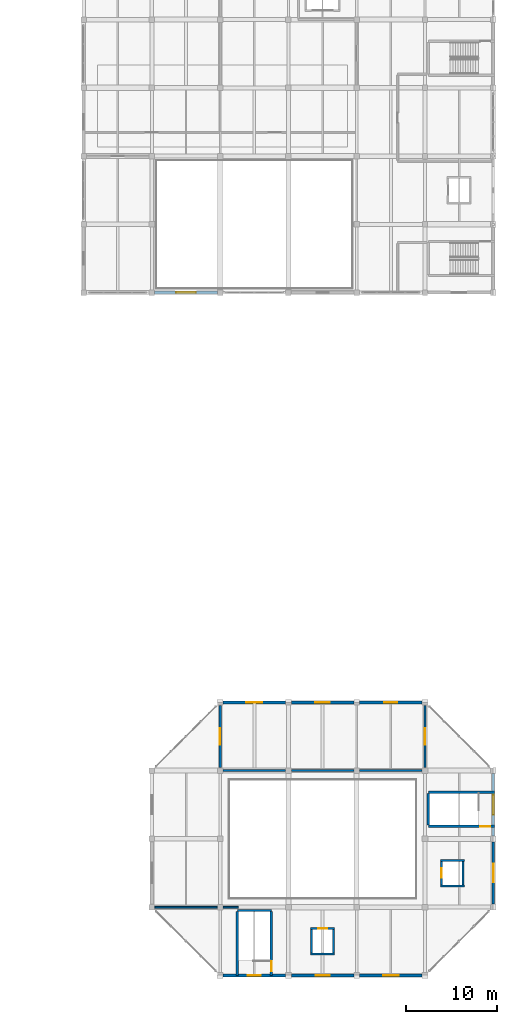
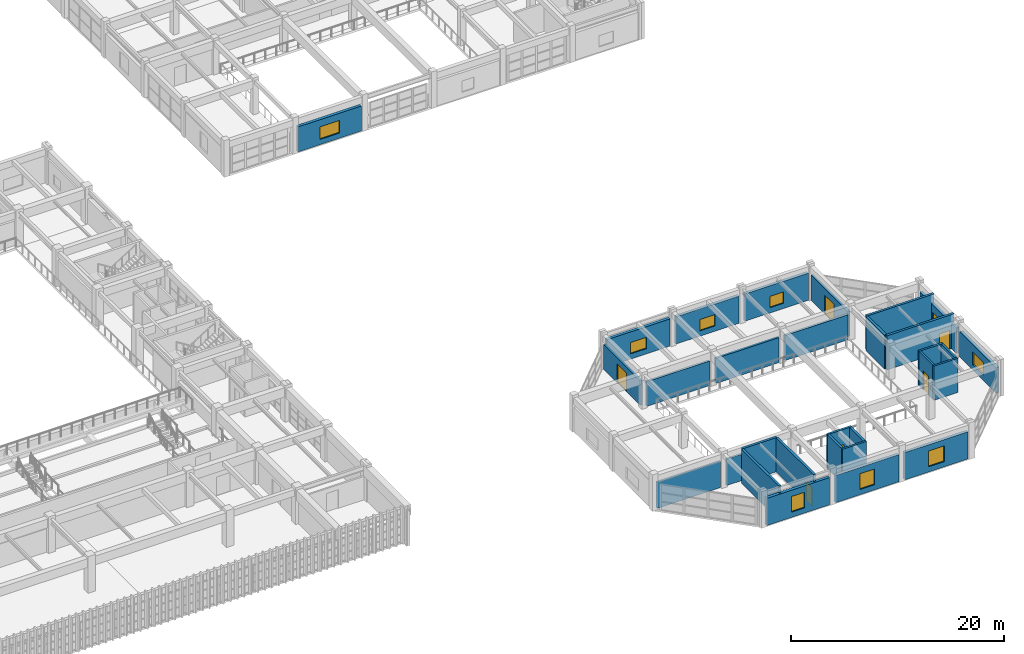
# One storey, part 99 of 124: 30 walls, 9 windows, 6 doors, 15 openings.
"""IFC4 building model written with IfcOpenShell, lengths in metres."""

from ifc_helpers import new_model, si_unit, direction, frame, frame_2d, origin, place, context, subcontext, project, spatial, rectangle, extrude, material, layer, layer_set, type_object, element, fill, save


model = new_model("IFC4")

# Units and contexts
model_context = context("Model", 3, precision=1e-05, world=origin(), true_north=direction((0.0, 1.0)))
body_context = subcontext(model_context, "Body", "Model", "MODEL_VIEW")
ifc_project = project(units=[si_unit("LENGTHUNIT", "METRE"), si_unit("AREAUNIT", "SQUARE_METRE"), si_unit("VOLUMEUNIT", "CUBIC_METRE"), si_unit("PLANEANGLEUNIT", "RADIAN"), si_unit("MASSUNIT", "GRAM", prefix="KILO")], contexts=[model_context])

# Site, building, storey
site_placement = place(None, origin())
site = spatial("IfcSite", under=ifc_project, at=site_placement, CompositionType="ELEMENT")
building_placement = place(site_placement, origin())
building = spatial("IfcBuilding", under=site, at=building_placement, Name="Qasida Concert Hall", CompositionType="ELEMENT")
storey_placement = place(building_placement, frame((0.0, 0.0, 9.0)))
storey = spatial("IfcBuildingStorey", under=building, at=storey_placement, Name="L02", CompositionType="ELEMENT", Elevation=9.0)

# Wall
ifc_material_1 = material(Name="Concrete C40/50", Category="concrete")
ifc_layer_1 = layer(ifc_material_1, 0.219970703125, Name="Concrete C40/50")
ifc_layer_set_1 = layer_set([ifc_layer_1], Name="Concrete C40/50")
wall_type_1 = type_object("IfcWallType", Name="WL-CW-220", PredefinedType="SOLIDWALL", material=ifc_layer_set_1)
wall_1_placement = place(storey_placement, frame((144.93994140625, 2.35009765625, 0.0), z_axis=(0.0, 0.0, 1.0), x_axis=(1.0, 0.0, 0.0)))
element("IfcWall", 1, at=wall_1_placement, inside=storey, type_object=wall_type_1, Name="L02 LF-11 lift shaft wall S", PredefinedType="SOLIDWALL", context=body_context, shape_type="SweptSolid", body=[
    extrude(rectangle(XDim=2.6201171875, YDim=0.219970703125, at=frame_2d((1.31005859375, 0.0))), origin(), (0.0, 0.0, 1.0), 3.919921875),
])

# Wall, opening, door
wall_2_placement = place(storey_placement, frame((144.93994140625, 5.14990234375, 0.0), z_axis=(0.0, 0.0, 1.0), x_axis=(1.0, 0.0, 0.0)))
wall_2 = element("IfcWall", 2, at=wall_2_placement, inside=storey, type_object=wall_type_1, Name="L02 LF-11 lift shaft wall N", PredefinedType="SOLIDWALL", context=body_context, shape_type="SweptSolid", body=[
    extrude(rectangle(XDim=2.6201171875, YDim=0.219970703125, at=frame_2d((1.31005859375, 0.0))), origin(), (0.0, 0.0, 1.0), 3.919921875),
])
opening_1_placement = place(wall_2_placement, frame((0.81005859375, 0.0, 0.0)))
opening_1 = element("IfcOpeningElement", 3, at=opening_1_placement, cuts=wall_2, Name="Opening LD-100", PredefinedType="OPENING", context=body_context, shape_type="SweptSolid", body=[
    extrude(rectangle(XDim=1.0, YDim=2.14990234375, at=frame_2d((0.5, 1.074951171875))), frame((0.0, 0.119873046875, 0.0), z_axis=(0.0, -1.0, 0.0), x_axis=(1.0, 0.0, 0.0)), (0.0, 0.0, 1.0), 0.239990234375),
])
ifc_material_2 = material(Name="Brushed bronze passenger lift landing door", Category="steel")
door_type_1 = type_object("IfcDoorType", Name="LD-100", OperationType="SLIDING_TO_LEFT", PredefinedType="DOOR", material=ifc_material_2)
door_1_placement = place(opening_1_placement, origin())
door_1 = element("IfcDoor", 4, at=door_1_placement, inside=storey, type_object=door_type_1, Name="Lift landing door LF-11 L02", OperationType="SLIDING_TO_LEFT", OverallHeight=2.14990234375, OverallWidth=1.0, PredefinedType="DOOR", context=body_context, shape_type="SweptSolid", body=[
    extrude(rectangle(XDim=1.0, YDim=2.14990234375, at=frame_2d((0.5, 1.074951171875))), frame((0.0, 0.02490234375, 0.0), z_axis=(0.0, -1.0, 0.0), x_axis=(1.0, 0.0, 0.0)), (0.0, 0.0, 1.0), 0.050048828125),
])
fill(opening_1, door_1)

# Walls
for number, where, z_axis, x_axis, name in (
    (5, (145.050048828125, 2.4599609375, 0.0), (0.0, 0.0, 1.0), (0.0, 1.0, 0.0), "L02 LF-11 lift shaft wall W"),
    (6, (147.449951171875, 2.4599609375, 0.0), (0.0, 0.0, 1.0), (0.0, 1.0, 0.0), "L02 LF-11 lift shaft wall E"),
):
    element("IfcWall", number, at=place(storey_placement, frame(where, z_axis=z_axis, x_axis=x_axis)), inside=storey, type_object=wall_type_1, Name=name, PredefinedType="SOLIDWALL", context=body_context, shape_type="SweptSolid", body=[
        extrude(rectangle(XDim=2.580078125, YDim=0.219970703125, at=frame_2d((1.2900390625, 0.0))), origin(), (0.0, 0.0, 1.0), 3.919921875),
    ])
for number, where, z_axis, x_axis, name in (
    (7, (159.18994140625, 9.85009765625, 0.0), (0.0, 0.0, 1.0), (1.0, 0.0, 0.0), "L02 LF-12 lift shaft wall S"),
    (8, (159.18994140625, 12.64990234375, 0.0), (0.0, 0.0, 1.0), (1.0, 0.0, 0.0), "L02 LF-12 lift shaft wall N"),
):
    element("IfcWall", number, at=place(storey_placement, frame(where, z_axis=z_axis, x_axis=x_axis)), inside=storey, type_object=wall_type_1, Name=name, PredefinedType="SOLIDWALL", context=body_context, shape_type="SweptSolid", body=[
        extrude(rectangle(XDim=2.6201171875, YDim=0.219970703125, at=frame_2d((1.31005859375, 0.0))), origin(), (0.0, 0.0, 1.0), 3.919921875),
    ])

# Wall, opening, door
wall_3_placement = place(storey_placement, frame((159.300048828125, 9.9599609375, 0.0), z_axis=(0.0, 0.0, 1.0), x_axis=(0.0, 1.0, 0.0)))
wall_3 = element("IfcWall", 9, at=wall_3_placement, inside=storey, type_object=wall_type_1, Name="L02 LF-12 lift shaft wall W", PredefinedType="SOLIDWALL", context=body_context, shape_type="SweptSolid", body=[
    extrude(rectangle(XDim=2.580078125, YDim=0.219970703125, at=frame_2d((1.2900390625, 0.0))), origin(), (0.0, 0.0, 1.0), 3.919921875),
])
opening_2_placement = place(wall_3_placement, frame((0.7900390625, 0.0, 0.0)))
opening_2 = element("IfcOpeningElement", 10, at=opening_2_placement, cuts=wall_3, Name="Opening LD-100", PredefinedType="OPENING", context=body_context, shape_type="SweptSolid", body=[
    extrude(rectangle(XDim=1.0, YDim=2.14990234375, at=frame_2d((0.5, 1.074951171875))), frame((0.0, 0.119873046875, 0.0), z_axis=(0.0, -1.0, 0.0), x_axis=(1.0, 0.0, 0.0)), (0.0, 0.0, 1.0), 0.239990234375),
])
door_2_placement = place(opening_2_placement, origin())
door_2 = element("IfcDoor", 11, at=door_2_placement, inside=storey, type_object=door_type_1, Name="Lift landing door LF-12 L02", OperationType="SLIDING_TO_LEFT", OverallHeight=2.14990234375, OverallWidth=1.0, PredefinedType="DOOR", context=body_context, shape_type="SweptSolid", body=[
    extrude(rectangle(XDim=1.0, YDim=2.14990234375, at=frame_2d((0.5, 1.074951171875))), frame((0.0, 0.02490234375, 0.0), z_axis=(0.0, -1.0, 0.0), x_axis=(1.0, 0.0, 0.0)), (0.0, 0.0, 1.0), 0.050048828125),
])
fill(opening_2, door_2)

# Walls
wall_4_placement = place(storey_placement, frame((161.699951171875, 9.9599609375, 0.0), z_axis=(0.0, 0.0, 1.0), x_axis=(0.0, 1.0, 0.0)))
element("IfcWall", 12, at=wall_4_placement, inside=storey, type_object=wall_type_1, Name="L02 LF-12 lift shaft wall E", PredefinedType="SOLIDWALL", context=body_context, shape_type="SweptSolid", body=[
    extrude(rectangle(XDim=2.580078125, YDim=0.219970703125, at=frame_2d((1.2900390625, 0.0))), origin(), (0.0, 0.0, 1.0), 3.919921875),
])
ifc_layer_2 = layer(ifc_material_1, 0.25, Name="Concrete C40/50")
ifc_layer_set_2 = layer_set([ifc_layer_2], Name="Concrete C40/50")
wall_type_2 = type_object("IfcWallType", Name="WL-CW-250", PredefinedType="SOLIDWALL", material=ifc_layer_set_2)
wall_5_placement = place(storey_placement, frame((136.8798828125, 7.14501953125, 0.0), z_axis=(0.0, 0.0, 1.0), x_axis=(1.0, 0.0, 0.0)))
element("IfcWall", 13, at=wall_5_placement, inside=storey, type_object=wall_type_2, Name="L02 ST-09 stairwell wall N", PredefinedType="SOLIDWALL", context=body_context, shape_type="SweptSolid", body=[
    extrude(rectangle(XDim=3.740234375, YDim=0.25, at=frame_2d((1.8701171875, 0.0))), origin(), (0.0, 0.0, 1.0), 3.919921875),
])
wall_6_placement = place(storey_placement, frame((136.875, 0.0, 0.0), z_axis=(0.0, 0.0, 1.0), x_axis=(0.0, 1.0, 0.0)))
element("IfcWall", 14, at=wall_6_placement, inside=storey, type_object=wall_type_2, Name="L02 ST-09 stairwell wall W", PredefinedType="SOLIDWALL", context=body_context, shape_type="SweptSolid", body=[
    extrude(rectangle(XDim=7.02001953125, YDim=0.25, at=frame_2d((3.510009765625, 0.0))), origin(), (0.0, 0.0, 1.0), 3.919921875),
])

# Wall, opening, door
wall_7_placement = place(storey_placement, frame((140.625, 0.0, 0.0), z_axis=(0.0, 0.0, 1.0), x_axis=(0.0, 1.0, 0.0)))
wall_7 = element("IfcWall", 15, at=wall_7_placement, inside=storey, type_object=wall_type_2, Name="L02 ST-09 stairwell wall E", PredefinedType="SOLIDWALL", context=body_context, shape_type="SweptSolid", body=[
    extrude(rectangle(XDim=7.02001953125, YDim=0.25, at=frame_2d((3.510009765625, 0.0))), origin(), (0.0, 0.0, 1.0), 3.919921875),
])
opening_3_placement = place(wall_7_placement, frame((0.449951171875, 0.0, 0.0)))
opening_3 = element("IfcOpeningElement", 16, at=opening_3_placement, cuts=wall_7, Name="Opening FD-110", PredefinedType="OPENING", context=body_context, shape_type="SweptSolid", body=[
    extrude(rectangle(XDim=1.10009765625, YDim=2.14990234375, at=frame_2d((0.550048828125, 1.074951171875))), frame((0.0, 0.135009765625, 0.0), z_axis=(0.0, -1.0, 0.0), x_axis=(1.0, 0.0, 0.0)), (0.0, 0.0, 1.0), 0.27001953125),
])
ifc_material_3 = material(Name="Steel fire-rated stair/lobby door set", Category="steel")
door_type_2 = type_object("IfcDoorType", Name="FD-110", OperationType="NOTDEFINED", PredefinedType="DOOR", material=ifc_material_3)
door_3_placement = place(opening_3_placement, origin())
door_3 = element("IfcDoor", 17, at=door_3_placement, inside=storey, type_object=door_type_2, Name="L02 ST-09 rated stair door", OperationType="SINGLE_SWING_LEFT", OverallHeight=2.14990234375, OverallWidth=1.10009765625, PredefinedType="DOOR", context=body_context, shape_type="SweptSolid", body=[
    extrude(rectangle(XDim=1.10009765625, YDim=2.14990234375, at=frame_2d((0.550048828125, 1.074951171875))), frame((0.0, 0.02490234375, 0.0), z_axis=(0.0, -1.0, 0.0), x_axis=(1.0, 0.0, 0.0)), (0.0, 0.0, 1.0), 0.050048828125),
])
fill(opening_3, door_3)

wall_8_placement = place(storey_placement, frame((157.860107421875, 16.375, 0.0), z_axis=(0.0, 0.0, 1.0), x_axis=(1.0, 0.0, 0.0)))
wall_8 = element("IfcWall", 18, at=wall_8_placement, inside=storey, type_object=wall_type_2, Name="L02 ST-10 stairwell wall S", PredefinedType="SOLIDWALL", context=body_context, shape_type="SweptSolid", body=[
    extrude(rectangle(XDim=7.260009765625, YDim=0.25, at=frame_2d((3.6298828125, 0.0))), origin(), (0.0, 0.0, 1.0), 3.919921875),
])
opening_4_placement = place(wall_8_placement, frame((5.7099609375, 0.0, 0.0)))
opening_4 = element("IfcOpeningElement", 19, at=opening_4_placement, cuts=wall_8, Name="Opening FD-110", PredefinedType="OPENING", context=body_context, shape_type="SweptSolid", body=[
    extrude(rectangle(XDim=1.10009765625, YDim=2.14990234375, at=frame_2d((0.550048828125, 1.074951171875))), frame((0.0, 0.135009765625, 0.0), z_axis=(0.0, -1.0, 0.0), x_axis=(1.0, 0.0, 0.0)), (0.0, 0.0, 1.0), 0.27001953125),
])
door_4_placement = place(opening_4_placement, origin())
door_4 = element("IfcDoor", 20, at=door_4_placement, inside=storey, type_object=door_type_2, Name="L02 ST-10 rated stair door", OperationType="SINGLE_SWING_RIGHT", OverallHeight=2.14990234375, OverallWidth=1.10009765625, PredefinedType="DOOR", context=body_context, shape_type="SweptSolid", body=[
    extrude(rectangle(XDim=1.10009765625, YDim=2.14990234375, at=frame_2d((0.550048828125, 1.074951171875))), frame((0.0, 0.02490234375, 0.0), z_axis=(0.0, -1.0, 0.0), x_axis=(1.0, 0.0, 0.0)), (0.0, 0.0, 1.0), 0.050048828125),
])
fill(opening_4, door_4)

# Walls
wall_9_placement = place(storey_placement, frame((157.860107421875, 20.125, 0.0), z_axis=(0.0, 0.0, 1.0), x_axis=(1.0, 0.0, 0.0)))
element("IfcWall", 21, at=wall_9_placement, inside=storey, type_object=wall_type_2, Name="L02 ST-10 stairwell wall N", PredefinedType="SOLIDWALL", context=body_context, shape_type="SweptSolid", body=[
    extrude(rectangle(XDim=7.260009765625, YDim=0.25, at=frame_2d((3.6298828125, 0.0))), origin(), (0.0, 0.0, 1.0), 3.919921875),
])
wall_10_placement = place(storey_placement, frame((157.85498046875, 16.5, 0.0), z_axis=(0.0, 0.0, 1.0), x_axis=(0.0, 1.0, 0.0)))
element("IfcWall", 22, at=wall_10_placement, inside=storey, type_object=wall_type_2, Name="L02 ST-10 stairwell wall W", PredefinedType="SOLIDWALL", context=body_context, shape_type="SweptSolid", body=[
    extrude(rectangle(XDim=3.5, YDim=0.25, at=frame_2d((1.75, 0.0))), origin(), (0.0, 0.0, 1.0), 3.919921875),
])

# Wall, opening, window
ifc_material_4 = material(Name="Precast concrete C40/50", Category="concrete")
ifc_layer_3 = layer(ifc_material_4, 0.320068359375, Name="Precast concrete C40/50")
ifc_layer_set_3 = layer_set([ifc_layer_3], Name="Precast concrete C40/50")
wall_type_3 = type_object("IfcWallType", Name="WL-EW-320", PredefinedType="SOLIDWALL", material=ifc_layer_set_3)
wall_11_placement = place(storey_placement, frame((135.324951171875, 0.0, 0.0), z_axis=(0.0, 0.0, 1.0), x_axis=(1.0, 0.0, 0.0)))
wall_11 = element("IfcWall", 23, at=wall_11_placement, inside=storey, type_object=wall_type_3, Name="L02 exterior wall EW-320 0164", PredefinedType="SOLIDWALL", context=body_context, shape_type="SweptSolid", body=[
    extrude(rectangle(XDim=6.85009765625, YDim=0.320068359375, at=frame_2d((3.425048828125, 0.0))), origin(), (0.0, 0.0, 1.0), 3.1201171875),
])
opening_5_placement = place(wall_11_placement, frame((2.72509765625, 0.0, 0.60009765625)))
opening_5 = element("IfcOpeningElement", 24, at=opening_5_placement, cuts=wall_11, Name="Opening WN-03", PredefinedType="OPENING", context=body_context, shape_type="SweptSolid", body=[
    extrude(rectangle(XDim=1.39990234375, YDim=1.800048828125, at=frame_2d((0.699951171875, 0.89990234375))), frame((0.0, 0.169921875, 0.0), z_axis=(0.0, -1.0, 0.0), x_axis=(1.0, 0.0, 0.0)), (0.0, 0.0, 1.0), 0.340087890625),
])
ifc_material_5 = material(Name="Bronze-anodized aluminium frame with acoustic low-E glazing", Category="aluminium")
window_type_1 = type_object("IfcWindowType", Name="WN-03", PartitioningType="SINGLE_PANEL", PredefinedType="WINDOW", material=ifc_material_5)
window_1_placement = place(opening_5_placement, origin())
window_1 = element("IfcWindow", 25, at=window_1_placement, inside=storey, type_object=window_type_1, Name="L02 window WN-03 0074", OverallHeight=1.800048828125, OverallWidth=1.39990234375, PartitioningType="SINGLE_PANEL", PredefinedType="WINDOW", context=body_context, shape_type="SweptSolid", body=[
    extrude(rectangle(XDim=1.39990234375, YDim=1.800048828125, at=frame_2d((0.699951171875, 0.89990234375))), frame((0.0, 0.030029296875, 0.0), z_axis=(0.0, -1.0, 0.0), x_axis=(1.0, 0.0, 0.0)), (0.0, 0.0, 1.0), 0.06005859375),
])
fill(opening_5, window_1)

wall_12_placement = place(storey_placement, frame((142.824951171875, 0.0, 0.0), z_axis=(0.0, 0.0, 1.0), x_axis=(1.0, 0.0, 0.0)))
wall_12 = element("IfcWall", 26, at=wall_12_placement, inside=storey, type_object=wall_type_3, Name="L02 exterior wall EW-320 0165", PredefinedType="SOLIDWALL", context=body_context, shape_type="SweptSolid", body=[
    extrude(rectangle(XDim=6.85009765625, YDim=0.320068359375, at=frame_2d((3.425048828125, 0.0))), origin(), (0.0, 0.0, 1.0), 3.1201171875),
])
opening_6_placement = place(wall_12_placement, frame((2.64990234375, 0.0, 0.60009765625)))
opening_6 = element("IfcOpeningElement", 27, at=opening_6_placement, cuts=wall_12, Name="Opening WN-04", PredefinedType="OPENING", context=body_context, shape_type="SweptSolid", body=[
    extrude(rectangle(XDim=1.550048828125, YDim=1.800048828125, at=frame_2d((0.77490234375, 0.89990234375))), frame((0.0, 0.169921875, 0.0), z_axis=(0.0, -1.0, 0.0), x_axis=(1.0, 0.0, 0.0)), (0.0, 0.0, 1.0), 0.340087890625),
])
window_type_2 = type_object("IfcWindowType", Name="WN-04", PartitioningType="SINGLE_PANEL", PredefinedType="WINDOW", material=ifc_material_5)
window_2_placement = place(opening_6_placement, origin())
window_2 = element("IfcWindow", 28, at=window_2_placement, inside=storey, type_object=window_type_2, Name="L02 window WN-04 0075", OverallHeight=1.800048828125, OverallWidth=1.550048828125, PartitioningType="SINGLE_PANEL", PredefinedType="WINDOW", context=body_context, shape_type="SweptSolid", body=[
    extrude(rectangle(XDim=1.550048828125, YDim=1.800048828125, at=frame_2d((0.77490234375, 0.89990234375))), frame((0.0, 0.030029296875, 0.0), z_axis=(0.0, -1.0, 0.0), x_axis=(1.0, 0.0, 0.0)), (0.0, 0.0, 1.0), 0.06005859375),
])
fill(opening_6, window_2)

wall_13_placement = place(storey_placement, frame((150.324951171875, 0.0, 0.0), z_axis=(0.0, 0.0, 1.0), x_axis=(1.0, 0.0, 0.0)))
wall_13 = element("IfcWall", 29, at=wall_13_placement, inside=storey, type_object=wall_type_3, Name="L02 exterior wall EW-320 0166", PredefinedType="SOLIDWALL", context=body_context, shape_type="SweptSolid", body=[
    extrude(rectangle(XDim=6.85009765625, YDim=0.320068359375, at=frame_2d((3.425048828125, 0.0))), origin(), (0.0, 0.0, 1.0), 3.1201171875),
])
opening_7_placement = place(wall_13_placement, frame((2.574951171875, 0.0, 0.60009765625)))
opening_7 = element("IfcOpeningElement", 30, at=opening_7_placement, cuts=wall_13, Name="Opening WN-05", PredefinedType="OPENING", context=body_context, shape_type="SweptSolid", body=[
    extrude(rectangle(XDim=1.699951171875, YDim=1.800048828125, at=frame_2d((0.85009765625, 0.89990234375))), frame((0.0, 0.169921875, 0.0), z_axis=(0.0, -1.0, 0.0), x_axis=(1.0, 0.0, 0.0)), (0.0, 0.0, 1.0), 0.340087890625),
])
window_type_3 = type_object("IfcWindowType", Name="WN-05", PartitioningType="SINGLE_PANEL", PredefinedType="WINDOW", material=ifc_material_5)
window_3_placement = place(opening_7_placement, origin())
window_3 = element("IfcWindow", 31, at=window_3_placement, inside=storey, type_object=window_type_3, Name="L02 window WN-05 0076", OverallHeight=1.800048828125, OverallWidth=1.699951171875, PartitioningType="SINGLE_PANEL", PredefinedType="WINDOW", context=body_context, shape_type="SweptSolid", body=[
    extrude(rectangle(XDim=1.699951171875, YDim=1.800048828125, at=frame_2d((0.85009765625, 0.89990234375))), frame((0.0, 0.030029296875, 0.0), z_axis=(0.0, -1.0, 0.0), x_axis=(1.0, 0.0, 0.0)), (0.0, 0.0, 1.0), 0.06005859375),
])
fill(opening_7, window_3)

wall_14_placement = place(storey_placement, frame((165.0, 7.824951171875, 0.0), z_axis=(0.0, 0.0, 1.0), x_axis=(0.0, 1.0, 0.0)))
wall_14 = element("IfcWall", 32, at=wall_14_placement, inside=storey, type_object=wall_type_3, Name="L02 exterior wall EW-320 0167", PredefinedType="SOLIDWALL", context=body_context, shape_type="SweptSolid", body=[
    extrude(rectangle(XDim=6.85009765625, YDim=0.320068359375, at=frame_2d((3.425048828125, 0.0))), origin(), (0.0, 0.0, 1.0), 2.919921875),
])
opening_8_placement = place(wall_14_placement, frame((2.425048828125, 0.0, 0.60009765625)))
opening_8 = element("IfcOpeningElement", 33, at=opening_8_placement, cuts=wall_14, Name="Opening WN-07", PredefinedType="OPENING", context=body_context, shape_type="SweptSolid", body=[
    extrude(rectangle(XDim=2.0, YDim=1.449951171875, at=frame_2d((1.0, 0.72509765625))), frame((0.0, 0.169921875, 0.0), z_axis=(0.0, -1.0, 0.0), x_axis=(1.0, 0.0, 0.0)), (0.0, 0.0, 1.0), 0.340087890625),
])
window_type_4 = type_object("IfcWindowType", Name="WN-07", PartitioningType="SINGLE_PANEL", PredefinedType="WINDOW", material=ifc_material_5)
window_4_placement = place(opening_8_placement, origin())
window_4 = element("IfcWindow", 34, at=window_4_placement, inside=storey, type_object=window_type_4, Name="L02 window WN-07 0077", OverallHeight=1.449951171875, OverallWidth=2.0, PartitioningType="SINGLE_PANEL", PredefinedType="WINDOW", context=body_context, shape_type="SweptSolid", body=[
    extrude(rectangle(XDim=2.0, YDim=1.449951171875, at=frame_2d((1.0, 0.72509765625))), frame((0.0, 0.030029296875, 0.0), z_axis=(0.0, -1.0, 0.0), x_axis=(1.0, 0.0, 0.0)), (0.0, 0.0, 1.0), 0.06005859375),
])
fill(opening_8, window_4)

wall_15_placement = place(storey_placement, frame((165.0, 15.324951171875, 0.0), z_axis=(0.0, 0.0, 1.0), x_axis=(0.0, 1.0, 0.0)))
wall_15 = element("IfcWall", 35, at=wall_15_placement, inside=storey, type_object=wall_type_3, Name="L02 exterior wall EW-320 0168", PredefinedType="SOLIDWALL", context=body_context, shape_type="SweptSolid", body=[
    extrude(rectangle(XDim=6.860107421875, YDim=0.320068359375, at=frame_2d((3.43017578125, 0.0))), origin(), (0.0, 0.0, 1.0), 2.919921875),
])
opening_9_placement = place(wall_15_placement, frame((2.35009765625, 0.0, 0.60009765625)))
opening_9 = element("IfcOpeningElement", 36, at=opening_9_placement, cuts=wall_15, Name="Opening WN-08", PredefinedType="OPENING", context=body_context, shape_type="SweptSolid", body=[
    extrude(rectangle(XDim=2.14990234375, YDim=1.449951171875, at=frame_2d((1.074951171875, 0.72509765625))), frame((0.0, 0.169921875, 0.0), z_axis=(0.0, -1.0, 0.0), x_axis=(1.0, 0.0, 0.0)), (0.0, 0.0, 1.0), 0.340087890625),
])
window_type_5 = type_object("IfcWindowType", Name="WN-08", PartitioningType="SINGLE_PANEL", PredefinedType="WINDOW", material=ifc_material_5)
window_5_placement = place(opening_9_placement, origin())
window_5 = element("IfcWindow", 37, at=window_5_placement, inside=storey, type_object=window_type_5, Name="L02 window WN-08 0078", OverallHeight=1.449951171875, OverallWidth=2.14990234375, PartitioningType="SINGLE_PANEL", PredefinedType="WINDOW", context=body_context, shape_type="SweptSolid", body=[
    extrude(rectangle(XDim=2.14990234375, YDim=1.449951171875, at=frame_2d((1.074951171875, 0.72509765625))), frame((0.0, 0.030029296875, 0.0), z_axis=(0.0, -1.0, 0.0), x_axis=(1.0, 0.0, 0.0)), (0.0, 0.0, 1.0), 0.06005859375),
])
fill(opening_9, window_5)

wall_16_placement = place(storey_placement, frame((157.175048828125, 30.0, 0.0), z_axis=(0.0, 0.0, 1.0), x_axis=(-1.0, 0.0, 0.0)))
wall_16 = element("IfcWall", 38, at=wall_16_placement, inside=storey, type_object=wall_type_3, Name="L02 exterior wall EW-320 0169", PredefinedType="SOLIDWALL", context=body_context, shape_type="SweptSolid", body=[
    extrude(rectangle(XDim=6.85009765625, YDim=0.320068359375, at=frame_2d((3.425048828125, 0.0))), origin(), (0.0, 0.0, 1.0), 3.1201171875),
])
opening_10_placement = place(wall_16_placement, frame((2.699951171875, 0.0, 0.60009765625)))
opening_10 = element("IfcOpeningElement", 39, at=opening_10_placement, cuts=wall_16, Name="Opening WN-11", PredefinedType="OPENING", context=body_context, shape_type="SweptSolid", body=[
    extrude(rectangle(XDim=1.449951171875, YDim=1.300048828125, at=frame_2d((0.72509765625, 0.64990234375))), frame((0.0, 0.169921875, 0.0), z_axis=(0.0, -1.0, 0.0), x_axis=(1.0, 0.0, 0.0)), (0.0, 0.0, 1.0), 0.340087890625),
])
window_type_6 = type_object("IfcWindowType", Name="WN-11", PartitioningType="SINGLE_PANEL", PredefinedType="WINDOW", material=ifc_material_5)
window_6_placement = place(opening_10_placement, origin())
window_6 = element("IfcWindow", 40, at=window_6_placement, inside=storey, type_object=window_type_6, Name="L02 window WN-11 0079", OverallHeight=1.300048828125, OverallWidth=1.449951171875, PartitioningType="SINGLE_PANEL", PredefinedType="WINDOW", context=body_context, shape_type="SweptSolid", body=[
    extrude(rectangle(XDim=1.449951171875, YDim=1.300048828125, at=frame_2d((0.72509765625, 0.64990234375))), frame((0.0, 0.030029296875, 0.0), z_axis=(0.0, -1.0, 0.0), x_axis=(1.0, 0.0, 0.0)), (0.0, 0.0, 1.0), 0.06005859375),
])
fill(opening_10, window_6)

wall_17_placement = place(storey_placement, frame((149.675048828125, 30.0, 0.0), z_axis=(0.0, 0.0, 1.0), x_axis=(-1.0, 0.0, 0.0)))
wall_17 = element("IfcWall", 41, at=wall_17_placement, inside=storey, type_object=wall_type_3, Name="L02 exterior wall EW-320 0170", PredefinedType="SOLIDWALL", context=body_context, shape_type="SweptSolid", body=[
    extrude(rectangle(XDim=6.85009765625, YDim=0.320068359375, at=frame_2d((3.425048828125, 0.0))), origin(), (0.0, 0.0, 1.0), 3.1201171875),
])
opening_11_placement = place(wall_17_placement, frame((2.625, 0.0, 0.60009765625)))
opening_11 = element("IfcOpeningElement", 42, at=opening_11_placement, cuts=wall_17, Name="Opening WN-12", PredefinedType="OPENING", context=body_context, shape_type="SweptSolid", body=[
    extrude(rectangle(XDim=1.60009765625, YDim=1.300048828125, at=frame_2d((0.800048828125, 0.64990234375))), frame((0.0, 0.169921875, 0.0), z_axis=(0.0, -1.0, 0.0), x_axis=(1.0, 0.0, 0.0)), (0.0, 0.0, 1.0), 0.340087890625),
])
window_type_7 = type_object("IfcWindowType", Name="WN-12", PartitioningType="SINGLE_PANEL", PredefinedType="WINDOW", material=ifc_material_5)
window_7_placement = place(opening_11_placement, origin())
window_7 = element("IfcWindow", 43, at=window_7_placement, inside=storey, type_object=window_type_7, Name="L02 window WN-12 0080", OverallHeight=1.300048828125, OverallWidth=1.60009765625, PartitioningType="SINGLE_PANEL", PredefinedType="WINDOW", context=body_context, shape_type="SweptSolid", body=[
    extrude(rectangle(XDim=1.60009765625, YDim=1.300048828125, at=frame_2d((0.800048828125, 0.64990234375))), frame((0.0, 0.030029296875, 0.0), z_axis=(0.0, -1.0, 0.0), x_axis=(1.0, 0.0, 0.0)), (0.0, 0.0, 1.0), 0.06005859375),
])
fill(opening_11, window_7)

wall_18_placement = place(storey_placement, frame((142.175048828125, 30.0, 0.0), z_axis=(0.0, 0.0, 1.0), x_axis=(-1.0, 0.0, 0.0)))
wall_18 = element("IfcWall", 44, at=wall_18_placement, inside=storey, type_object=wall_type_3, Name="L02 exterior wall EW-320 0171", PredefinedType="SOLIDWALL", context=body_context, shape_type="SweptSolid", body=[
    extrude(rectangle(XDim=6.85009765625, YDim=0.320068359375, at=frame_2d((3.425048828125, 0.0))), origin(), (0.0, 0.0, 1.0), 3.1201171875),
])
opening_12_placement = place(wall_18_placement, frame((2.550048828125, 0.0, 0.60009765625)))
opening_12 = element("IfcOpeningElement", 45, at=opening_12_placement, cuts=wall_18, Name="Opening WN-13", PredefinedType="OPENING", context=body_context, shape_type="SweptSolid", body=[
    extrude(rectangle(XDim=1.75, YDim=1.300048828125, at=frame_2d((0.875, 0.64990234375))), frame((0.0, 0.169921875, 0.0), z_axis=(0.0, -1.0, 0.0), x_axis=(1.0, 0.0, 0.0)), (0.0, 0.0, 1.0), 0.340087890625),
])
window_type_8 = type_object("IfcWindowType", Name="WN-13", PartitioningType="SINGLE_PANEL", PredefinedType="WINDOW", material=ifc_material_5)
window_8_placement = place(opening_12_placement, origin())
window_8 = element("IfcWindow", 46, at=window_8_placement, inside=storey, type_object=window_type_8, Name="L02 window WN-13 0081", OverallHeight=1.300048828125, OverallWidth=1.75, PartitioningType="SINGLE_PANEL", PredefinedType="WINDOW", context=body_context, shape_type="SweptSolid", body=[
    extrude(rectangle(XDim=1.75, YDim=1.300048828125, at=frame_2d((0.875, 0.64990234375))), frame((0.0, 0.030029296875, 0.0), z_axis=(0.0, -1.0, 0.0), x_axis=(1.0, 0.0, 0.0)), (0.0, 0.0, 1.0), 0.06005859375),
])
fill(opening_12, window_8)

wall_19_placement = place(storey_placement, frame((127.804931640625, 75.0, 0.0), z_axis=(0.0, 0.0, 1.0), x_axis=(1.0, 0.0, 0.0)))
wall_19 = element("IfcWall", 47, at=wall_19_placement, inside=storey, type_object=wall_type_3, Name="L02 exterior wall EW-320 0198", PredefinedType="SOLIDWALL", context=body_context, shape_type="SweptSolid", body=[
    extrude(rectangle(XDim=6.880126953125, YDim=0.320068359375, at=frame_2d((3.43994140625, 0.0))), origin(), (0.0, 0.0, 1.0), 2.8701171875),
])
opening_13_placement = place(wall_19_placement, frame((2.3701171875, 0.0, 0.60009765625)))
opening_13 = element("IfcOpeningElement", 48, at=opening_13_placement, cuts=wall_19, Name="Opening WN-08", PredefinedType="OPENING", context=body_context, shape_type="SweptSolid", body=[
    extrude(rectangle(XDim=2.14990234375, YDim=1.449951171875, at=frame_2d((1.074951171875, 0.72509765625))), frame((0.0, 0.169921875, 0.0), z_axis=(0.0, -1.0, 0.0), x_axis=(1.0, 0.0, 0.0)), (0.0, 0.0, 1.0), 0.340087890625),
])
window_9_placement = place(opening_13_placement, origin())
window_9 = element("IfcWindow", 49, at=window_9_placement, inside=storey, type_object=window_type_5, Name="L02 window WN-08 0100", OverallHeight=1.449951171875, OverallWidth=2.14990234375, PartitioningType="SINGLE_PANEL", PredefinedType="WINDOW", context=body_context, shape_type="SweptSolid", body=[
    extrude(rectangle(XDim=2.14990234375, YDim=1.449951171875, at=frame_2d((1.074951171875, 0.72509765625))), frame((0.0, 0.030029296875, 0.0), z_axis=(0.0, -1.0, 0.0), x_axis=(1.0, 0.0, 0.0)), (0.0, 0.0, 1.0), 0.06005859375),
])
fill(opening_13, window_9)

# Walls
ifc_material_6 = material(Name="Acoustic gypsum block and mineral wool", Category="gypsum")
ifc_layer_4 = layer(ifc_material_6, 0.199951171875, Name="Acoustic gypsum block and mineral wool")
ifc_layer_set_4 = layer_set([ifc_layer_4], Name="Acoustic gypsum block and mineral wool")
wall_type_4 = type_object("IfcWallType", Name="WL-PW-200", PredefinedType="PARTITIONING", material=ifc_layer_set_4)
wall_20_placement = place(storey_placement, frame((127.823974609375, 7.5, 0.0), z_axis=(0.0, 0.0, 1.0), x_axis=(1.0, 0.0, 0.0)))
element("IfcWall", 50, at=wall_20_placement, inside=storey, type_object=wall_type_4, Name="L02 partition PW-200 0598", PredefinedType="PARTITIONING", context=body_context, shape_type="SweptSolid", body=[
    extrude(rectangle(XDim=6.85205078125, YDim=0.199951171875, at=frame_2d((3.426025390625, 0.0))), origin(), (0.0, 0.0, 1.0), 3.02001953125),
])
wall_21_placement = place(storey_placement, frame((135.323974609375, 7.5, 0.0), z_axis=(0.0, 0.0, 1.0), x_axis=(1.0, 0.0, 0.0)))
element("IfcWall", 51, at=wall_21_placement, inside=storey, type_object=wall_type_4, Name="L02 partition PW-200 0599", PredefinedType="PARTITIONING", context=body_context, shape_type="SweptSolid", body=[
    extrude(rectangle(XDim=1.676025390625, YDim=0.199951171875, at=frame_2d((0.837890625, 0.0))), origin(), (0.0, 0.0, 1.0), 3.02001953125),
])
ifc_material_7 = material(Name="Double-stud acoustic gypsum and mineral wool", Category="gypsum")
ifc_layer_5 = layer(ifc_material_7, 0.239990234375, Name="Double-stud acoustic gypsum and mineral wool")
ifc_layer_set_5 = layer_set([ifc_layer_5], Name="Double-stud acoustic gypsum and mineral wool")
wall_type_5 = type_object("IfcWallType", Name="WL-PW-240", PredefinedType="PARTITIONING", material=ifc_layer_set_5)
wall_22_placement = place(storey_placement, frame((135.323974609375, 22.5, 0.0), z_axis=(0.0, 0.0, 1.0), x_axis=(1.0, 0.0, 0.0)))
element("IfcWall", 52, at=wall_22_placement, inside=storey, type_object=wall_type_5, Name="L02 partition PW-240 0600", PredefinedType="PARTITIONING", context=body_context, shape_type="SweptSolid", body=[
    extrude(rectangle(XDim=6.85205078125, YDim=0.239990234375, at=frame_2d((3.426025390625, 0.0))), origin(), (0.0, 0.0, 1.0), 2.820068359375),
])
for number, where, z_axis, x_axis, name in (
    (53, (142.823974609375, 22.5, 0.0), (0.0, 0.0, 1.0), (1.0, 0.0, 0.0), "L02 partition PW-240 0601"),
    (54, (150.323974609375, 22.5, 0.0), (0.0, 0.0, 1.0), (1.0, 0.0, 0.0), "L02 partition PW-240 0602"),
):
    element("IfcWall", number, at=place(storey_placement, frame(where, z_axis=z_axis, x_axis=x_axis)), inside=storey, type_object=wall_type_5, Name=name, PredefinedType="PARTITIONING", context=body_context, shape_type="SweptSolid", body=[
        extrude(rectangle(XDim=6.85205078125, YDim=0.239990234375, at=frame_2d((3.426025390625, 0.0))), origin(), (0.0, 0.0, 1.0), 2.8701171875),
    ])

# Wall, opening, door
wall_23_placement = place(storey_placement, frame((135.0, 22.823974609375, 0.0), z_axis=(0.0, 0.0, 1.0), x_axis=(0.0, 1.0, 0.0)))
wall_23 = element("IfcWall", 55, at=wall_23_placement, inside=storey, type_object=wall_type_5, Name="L02 partition PW-240 0603", PredefinedType="PARTITIONING", context=body_context, shape_type="SweptSolid", body=[
    extrude(rectangle(XDim=6.85205078125, YDim=0.239990234375, at=frame_2d((3.426025390625, 0.0))), origin(), (0.0, 0.0, 1.0), 2.820068359375),
])
opening_14_placement = place(wall_23_placement, frame((2.52587890625, 0.0, 0.0)))
opening_14 = element("IfcOpeningElement", 56, at=opening_14_placement, cuts=wall_23, Name="Opening AD-180", PredefinedType="OPENING", context=body_context, shape_type="SweptSolid", body=[
    extrude(rectangle(XDim=1.800048828125, YDim=2.159912109375, at=frame_2d((0.89990234375, 1.080078125))), frame((0.0, 0.1298828125, 0.0), z_axis=(0.0, -1.0, 0.0), x_axis=(1.0, 0.0, 0.0)), (0.0, 0.0, 1.0), 0.260009765625),
])
ifc_material_8 = material(Name="Double-seal Rw 52 dB auditorium vomitory door", Category="wood")
door_type_3 = type_object("IfcDoorType", Name="AD-180", OperationType="NOTDEFINED", PredefinedType="DOOR", material=ifc_material_8)
door_5_placement = place(opening_14_placement, origin())
door_5 = element("IfcDoor", 57, at=door_5_placement, inside=storey, type_object=door_type_3, Name="L02 Chamber control booth west gallery door", OperationType="SINGLE_SWING_RIGHT", OverallHeight=2.159912109375, OverallWidth=1.800048828125, PredefinedType="DOOR", context=body_context, shape_type="SweptSolid", body=[
    extrude(rectangle(XDim=1.800048828125, YDim=2.159912109375, at=frame_2d((0.89990234375, 1.080078125))), frame((0.0, 0.02490234375, 0.0), z_axis=(0.0, -1.0, 0.0), x_axis=(1.0, 0.0, 0.0)), (0.0, 0.0, 1.0), 0.050048828125),
])
fill(opening_14, door_5)

wall_24_placement = place(storey_placement, frame((157.5, 22.823974609375, 0.0), z_axis=(0.0, 0.0, 1.0), x_axis=(0.0, 1.0, 0.0)))
wall_24 = element("IfcWall", 58, at=wall_24_placement, inside=storey, type_object=wall_type_5, Name="L02 partition PW-240 0604", PredefinedType="PARTITIONING", context=body_context, shape_type="SweptSolid", body=[
    extrude(rectangle(XDim=6.85205078125, YDim=0.239990234375, at=frame_2d((3.426025390625, 0.0))), origin(), (0.0, 0.0, 1.0), 2.919921875),
])
opening_15_placement = place(wall_24_placement, frame((2.52587890625, 0.0, 0.0)))
opening_15 = element("IfcOpeningElement", 59, at=opening_15_placement, cuts=wall_24, Name="Opening AD-180", PredefinedType="OPENING", context=body_context, shape_type="SweptSolid", body=[
    extrude(rectangle(XDim=1.800048828125, YDim=2.159912109375, at=frame_2d((0.89990234375, 1.080078125))), frame((0.0, 0.1298828125, 0.0), z_axis=(0.0, -1.0, 0.0), x_axis=(1.0, 0.0, 0.0)), (0.0, 0.0, 1.0), 0.260009765625),
])
door_6_placement = place(opening_15_placement, origin())
door_6 = element("IfcDoor", 60, at=door_6_placement, inside=storey, type_object=door_type_3, Name="L02 Chamber control booth east gallery door", OperationType="SINGLE_SWING_LEFT", OverallHeight=2.159912109375, OverallWidth=1.800048828125, PredefinedType="DOOR", context=body_context, shape_type="SweptSolid", body=[
    extrude(rectangle(XDim=1.800048828125, YDim=2.159912109375, at=frame_2d((0.89990234375, 1.080078125))), frame((0.0, 0.02490234375, 0.0), z_axis=(0.0, -1.0, 0.0), x_axis=(1.0, 0.0, 0.0)), (0.0, 0.0, 1.0), 0.050048828125),
])
fill(opening_15, door_6)

save(model, "model.ifc")
